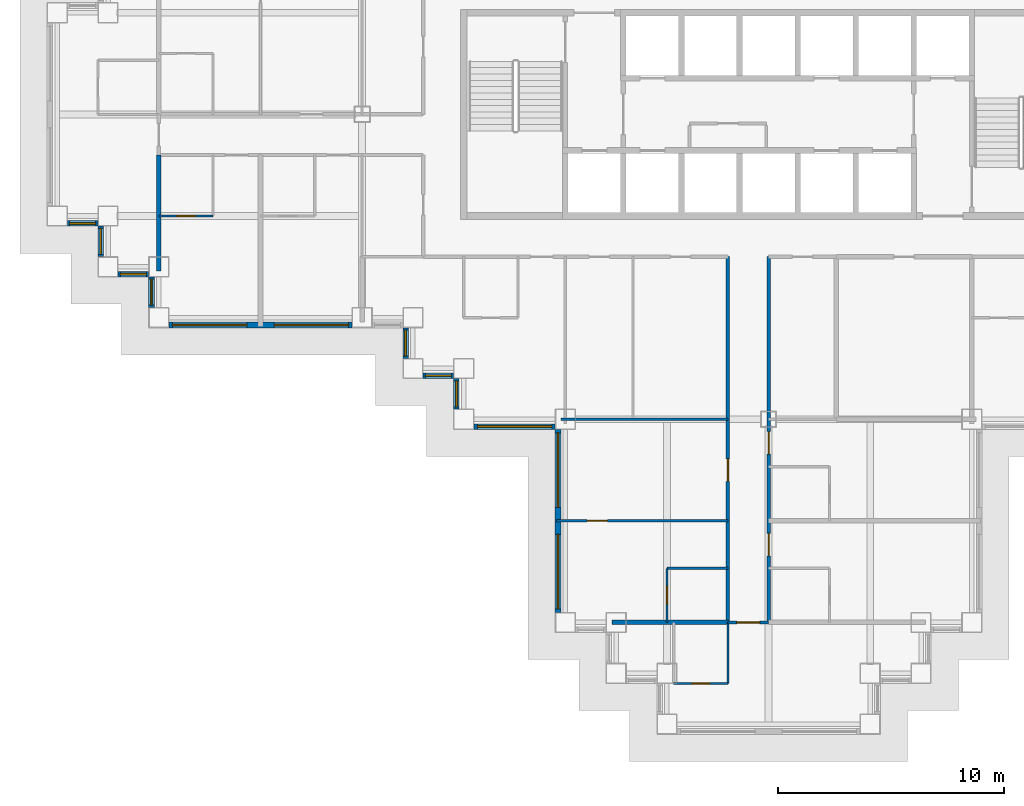
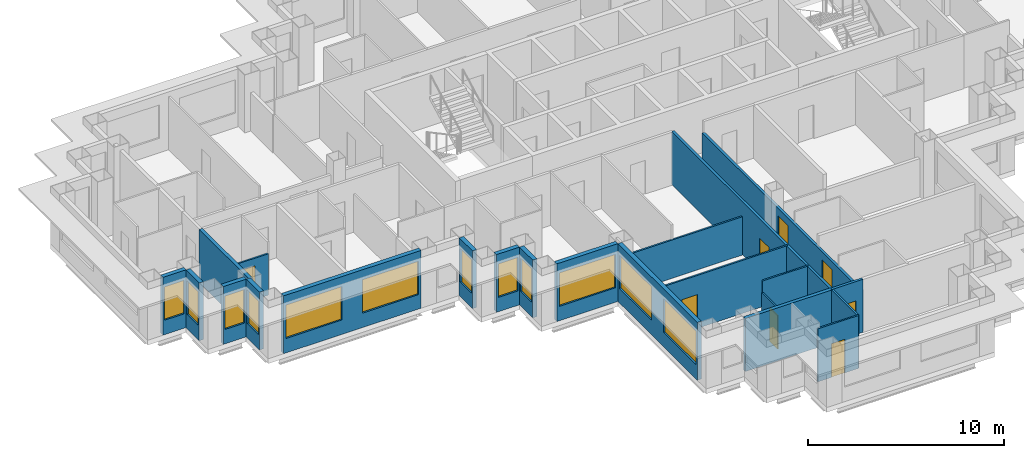
# One storey, part 3 of 15: 22 walls, 12 windows, 8 doors, 20 openings.
"""IFC4 building model written with IfcOpenShell, lengths in metres."""

from ifc_helpers import new_model, si_unit, direction, frame, frame_2d, origin, place, context, subcontext, project, spatial, rectangle, extrude, material, layer, layer_set, type_object, element, fill, save


model = new_model("IFC4")

# Units and contexts
model_context = context("Model", 3, precision=1e-05, world=origin(), true_north=direction((0.0, 1.0)))
body_context = subcontext(model_context, "Body", "Model", "MODEL_VIEW")
ifc_project = project(units=[si_unit("LENGTHUNIT", "METRE"), si_unit("AREAUNIT", "SQUARE_METRE"), si_unit("VOLUMEUNIT", "CUBIC_METRE"), si_unit("PLANEANGLEUNIT", "RADIAN"), si_unit("MASSUNIT", "GRAM", prefix="KILO")], contexts=[model_context])

# Site, building, storey
site_placement = place(None, origin())
site = spatial("IfcSite", under=ifc_project, at=site_placement, CompositionType="ELEMENT")
building_placement = place(site_placement, origin())
building = spatial("IfcBuilding", under=site, at=building_placement, Name="Caravel Reach Hotel and Residences", CompositionType="ELEMENT")
storey_placement = place(building_placement, frame((0.0, 0.0, 104.39990234375)))
storey = spatial("IfcBuildingStorey", under=building, at=storey_placement, Name="L25", CompositionType="ELEMENT", Elevation=104.39990234375)

# Wall, opening, door
ifc_material_1 = material(Name="Gypsum board on steel stud", Category="steel")
ifc_layer_1 = layer(ifc_material_1, 0.10009765625)
ifc_layer_set_1 = layer_set([ifc_layer_1], Name="Bathroom pod wall 100 mm")
wall_type_1 = type_object("IfcWallType", Name="Bathroom pod wall 100 mm", PredefinedType="PARTITIONING", material=ifc_layer_set_1)
wall_1_placement = place(storey_placement, frame((27.300048828125, 1.800048828125, 0.0), z_axis=(0.0, 0.0, 1.0), x_axis=(1.0, 0.0, 0.0)))
wall_1 = element("IfcWall", 1, at=wall_1_placement, inside=storey, type_object=wall_type_1, Name="L25 wall w081", PredefinedType="PARTITIONING", context=body_context, shape_type="SweptSolid", body=[
    extrude(rectangle(XDim=2.39990234375, YDim=0.10009765625, at=frame_2d((1.199951171875, 0.0))), origin(), (0.0, 0.0, 1.0), 3.300048828125),
])
opening_1_placement = place(wall_1_placement, frame((0.800048828125, 0.0, 0.0)))
opening_1 = element("IfcOpeningElement", 2, at=opening_1_placement, cuts=wall_1, Name="Opening D25-044", PredefinedType="OPENING", context=body_context, shape_type="SweptSolid", body=[
    extrude(rectangle(XDim=0.800048828125, YDim=2.10009765625, at=frame_2d((0.39990234375, 1.050048828125))), frame((0.0, 0.06005859375, 0.0), z_axis=(0.0, -1.0, 0.0), x_axis=(1.0, 0.0, 0.0)), (0.0, 0.0, 1.0), 0.1201171875),
])
ifc_material_2 = material(Name="Timber and steel door leaf", Category="steel")
door_type_1 = type_object("IfcDoorType", Name="Bathroom door 800 x 2100", OperationType="SINGLE_SWING_LEFT", PredefinedType="DOOR", material=ifc_material_2)
door_1_placement = place(opening_1_placement, origin())
door_1 = element("IfcDoor", 3, at=door_1_placement, inside=storey, type_object=door_type_1, Name="door D25-044", OperationType="SINGLE_SWING_LEFT", OverallHeight=2.10009765625, OverallWidth=0.800048828125, PredefinedType="DOOR", context=body_context, shape_type="SweptSolid", body=[
    extrude(rectangle(XDim=0.800048828125, YDim=2.10009765625, at=frame_2d((0.39990234375, 1.050048828125))), frame((0.0, 0.02490234375, 0.0), z_axis=(0.0, -1.0, 0.0), x_axis=(1.0, 0.0, 0.0)), (0.0, 0.0, 1.0), 0.050048828125),
])
fill(opening_1, door_1)

wall_2_placement = place(storey_placement, frame((4.5, 22.5, 0.0), z_axis=(0.0, 0.0, 1.0), x_axis=(1.0, 0.0, 0.0)))
wall_2 = element("IfcWall", 4, at=wall_2_placement, inside=storey, type_object=wall_type_1, Name="L25 wall w086", PredefinedType="PARTITIONING", context=body_context, shape_type="SweptSolid", body=[
    extrude(rectangle(XDim=2.39990234375, YDim=0.10009765625, at=frame_2d((1.199951171875, 0.0))), origin(), (0.0, 0.0, 1.0), 2.580078125),
])
opening_2_placement = place(wall_2_placement, frame((0.800048828125, 0.0, 0.0)))
opening_2 = element("IfcOpeningElement", 5, at=opening_2_placement, cuts=wall_2, Name="Opening D25-018", PredefinedType="OPENING", context=body_context, shape_type="SweptSolid", body=[
    extrude(rectangle(XDim=0.800048828125, YDim=2.10009765625, at=frame_2d((0.39990234375, 1.050048828125))), frame((0.0, 0.06005859375, 0.0), z_axis=(0.0, -1.0, 0.0), x_axis=(1.0, 0.0, 0.0)), (0.0, 0.0, 1.0), 0.1201171875),
])
door_2_placement = place(opening_2_placement, origin())
door_2 = element("IfcDoor", 6, at=door_2_placement, inside=storey, type_object=door_type_1, Name="door D25-018", OperationType="SINGLE_SWING_RIGHT", OverallHeight=2.10009765625, OverallWidth=0.800048828125, PredefinedType="DOOR", context=body_context, shape_type="SweptSolid", body=[
    extrude(rectangle(XDim=0.800048828125, YDim=2.10009765625, at=frame_2d((0.39990234375, 1.050048828125))), frame((0.0, 0.02490234375, 0.0), z_axis=(0.0, -1.0, 0.0), x_axis=(1.0, 0.0, 0.0)), (0.0, 0.0, 1.0), 0.050048828125),
])
fill(opening_2, door_2)

# Wall
wall_3_placement = place(storey_placement, frame((27.0, 6.89990234375, 0.0), z_axis=(0.0, 0.0, 1.0), x_axis=(1.0, 0.0, 0.0)))
element("IfcWall", 7, at=wall_3_placement, inside=storey, type_object=wall_type_1, Name="L25 wall w097", PredefinedType="PARTITIONING", context=body_context, shape_type="SweptSolid", body=[
    extrude(rectangle(XDim=2.699951171875, YDim=0.10009765625, at=frame_2d((1.35009765625, 0.0))), origin(), (0.0, 0.0, 1.0), 3.300048828125),
])

# Wall, opening, door
wall_4_placement = place(storey_placement, frame((27.0, 4.5, 0.0), z_axis=(0.0, 0.0, 1.0), x_axis=(0.0, 1.0, 0.0)))
wall_4 = element("IfcWall", 8, at=wall_4_placement, inside=storey, type_object=wall_type_1, Name="L25 wall w104", PredefinedType="PARTITIONING", context=body_context, shape_type="SweptSolid", body=[
    extrude(rectangle(XDim=2.39990234375, YDim=0.10009765625, at=frame_2d((1.199951171875, 0.0))), origin(), (0.0, 0.0, 1.0), 2.580078125),
])
opening_3_placement = place(wall_4_placement, frame((0.800048828125, 0.0, 0.0)))
opening_3 = element("IfcOpeningElement", 9, at=opening_3_placement, cuts=wall_4, Name="Opening D25-034", PredefinedType="OPENING", context=body_context, shape_type="SweptSolid", body=[
    extrude(rectangle(XDim=0.800048828125, YDim=2.10009765625, at=frame_2d((0.39990234375, 1.050048828125))), frame((0.0, 0.06005859375, 0.0), z_axis=(0.0, -1.0, 0.0), x_axis=(1.0, 0.0, 0.0)), (0.0, 0.0, 1.0), 0.1201171875),
])
door_3_placement = place(opening_3_placement, origin())
door_3 = element("IfcDoor", 10, at=door_3_placement, inside=storey, type_object=door_type_1, Name="door D25-034", OperationType="SINGLE_SWING_RIGHT", OverallHeight=2.10009765625, OverallWidth=0.800048828125, PredefinedType="DOOR", context=body_context, shape_type="SweptSolid", body=[
    extrude(rectangle(XDim=0.800048828125, YDim=2.10009765625, at=frame_2d((0.39990234375, 1.050048828125))), frame((0.0, 0.02490234375, 0.0), z_axis=(0.0, -1.0, 0.0), x_axis=(1.0, 0.0, 0.0)), (0.0, 0.0, 1.0), 0.050048828125),
])
fill(opening_3, door_3)

# Wall
wall_5_placement = place(storey_placement, frame((29.699951171875, 1.800048828125, 0.0), z_axis=(0.0, 0.0, 1.0), x_axis=(0.0, 1.0, 0.0)))
element("IfcWall", 11, at=wall_5_placement, inside=storey, type_object=wall_type_1, Name="L25 wall w107", PredefinedType="PARTITIONING", context=body_context, shape_type="SweptSolid", body=[
    extrude(rectangle(XDim=2.699951171875, YDim=0.10009765625, at=frame_2d((1.35009765625, 0.0))), origin(), (0.0, 0.0, 1.0), 3.300048828125),
])

# Wall, opening, door
ifc_material_3 = material(Name="Gypsum board on steel stud, fire-rated", Category="steel")
ifc_layer_2 = layer(ifc_material_3, 0.14990234375)
ifc_layer_set_2 = layer_set([ifc_layer_2], Name="Corridor wall 150 mm EI 60")
wall_type_2 = type_object("IfcWallType", Name="Corridor wall 150 mm EI 60", PredefinedType="PARTITIONING", material=ifc_layer_set_2)
wall_6_placement = place(storey_placement, frame((29.699951171875, 4.5, 0.0), z_axis=(0.0, 0.0, 1.0), x_axis=(1.0, 0.0, 0.0)))
wall_6 = element("IfcWall", 12, at=wall_6_placement, inside=storey, type_object=wall_type_2, Name="L25 wall w024", PredefinedType="PARTITIONING", context=body_context, shape_type="SweptSolid", body=[
    extrude(rectangle(XDim=1.800048828125, YDim=0.14990234375, at=frame_2d((0.89990234375, 0.0))), origin(), (0.0, 0.0, 1.0), 3.300048828125),
])
opening_4_placement = place(wall_6_placement, frame((0.39990234375, 0.0, 0.0)))
opening_4 = element("IfcOpeningElement", 13, at=opening_4_placement, cuts=wall_6, Name="Opening D25-043", PredefinedType="OPENING", context=body_context, shape_type="SweptSolid", body=[
    extrude(rectangle(XDim=1.0, YDim=2.10009765625, at=frame_2d((0.5, 1.050048828125))), frame((0.0, 0.0849609375, 0.0), z_axis=(0.0, -1.0, 0.0), x_axis=(1.0, 0.0, 0.0)), (0.0, 0.0, 1.0), 0.169921875),
])
ifc_material_4 = material(Name="Steel fire door leaf", Category="steel")
door_type_2 = type_object("IfcDoorType", Name="Guest room door 1000 x 2100 EI 30", OperationType="SINGLE_SWING_LEFT", PredefinedType="DOOR", material=ifc_material_4)
door_4_placement = place(opening_4_placement, origin())
door_4 = element("IfcDoor", 14, at=door_4_placement, inside=storey, type_object=door_type_2, Name="door D25-043", OperationType="SINGLE_SWING_LEFT", OverallHeight=2.10009765625, OverallWidth=1.0, PredefinedType="DOOR", context=body_context, shape_type="SweptSolid", body=[
    extrude(rectangle(XDim=1.0, YDim=2.10009765625, at=frame_2d((0.5, 1.050048828125))), frame((0.0, 0.02490234375, 0.0), z_axis=(0.0, -1.0, 0.0), x_axis=(1.0, 0.0, 0.0)), (0.0, 0.0, 1.0), 0.050048828125),
])
fill(opening_4, door_4)

wall_7_placement = place(storey_placement, frame((29.699951171875, 4.5, 0.0), z_axis=(0.0, 0.0, 1.0), x_axis=(0.0, 1.0, 0.0)))
wall_7 = element("IfcWall", 15, at=wall_7_placement, inside=storey, type_object=wall_type_2, Name="L25 wall w029", PredefinedType="PARTITIONING", context=body_context, shape_type="SweptSolid", body=[
    extrude(rectangle(XDim=16.199951171875, YDim=0.14990234375, at=frame_2d((8.10009765625, 0.0))), origin(), (0.0, 0.0, 1.0), 3.300048828125),
])
opening_5_placement = place(wall_7_placement, frame((6.25, 0.0, 0.0)))
opening_5 = element("IfcOpeningElement", 16, at=opening_5_placement, cuts=wall_7, Name="Opening D25-032", PredefinedType="OPENING", context=body_context, shape_type="SweptSolid", body=[
    extrude(rectangle(XDim=1.0, YDim=2.10009765625, at=frame_2d((0.5, 1.050048828125))), frame((0.0, 0.0849609375, 0.0), z_axis=(0.0, -1.0, 0.0), x_axis=(1.0, 0.0, 0.0)), (0.0, 0.0, 1.0), 0.169921875),
])
door_5_placement = place(opening_5_placement, origin())
door_5 = element("IfcDoor", 17, at=door_5_placement, inside=storey, type_object=door_type_2, Name="door D25-032", OperationType="SINGLE_SWING_LEFT", OverallHeight=2.10009765625, OverallWidth=1.0, PredefinedType="DOOR", context=body_context, shape_type="SweptSolid", body=[
    extrude(rectangle(XDim=1.0, YDim=2.10009765625, at=frame_2d((0.5, 1.050048828125))), frame((0.0, 0.02490234375, 0.0), z_axis=(0.0, -1.0, 0.0), x_axis=(1.0, 0.0, 0.0)), (0.0, 0.0, 1.0), 0.050048828125),
])
fill(opening_5, door_5)

# Wall, openings, doors
wall_8_placement = place(storey_placement, frame((31.5, 4.5, 0.0), z_axis=(0.0, 0.0, 1.0), x_axis=(0.0, 1.0, 0.0)))
wall_8 = element("IfcWall", 18, at=wall_8_placement, inside=storey, type_object=wall_type_2, Name="L25 wall w033", PredefinedType="PARTITIONING", context=body_context, shape_type="SweptSolid", body=[
    extrude(rectangle(XDim=16.199951171875, YDim=0.14990234375, at=frame_2d((8.10009765625, 0.0))), origin(), (0.0, 0.0, 1.0), 2.580078125),
])
opening_6_placement = place(wall_8_placement, frame((7.449951171875, 0.0, 0.0)))
opening_6 = element("IfcOpeningElement", 19, at=opening_6_placement, cuts=wall_8, Name="Opening D25-035", PredefinedType="OPENING", context=body_context, shape_type="SweptSolid", body=[
    extrude(rectangle(XDim=1.0, YDim=2.10009765625, at=frame_2d((0.5, 1.050048828125))), frame((0.0, 0.0849609375, 0.0), z_axis=(0.0, -1.0, 0.0), x_axis=(1.0, 0.0, 0.0)), (0.0, 0.0, 1.0), 0.169921875),
])
opening_7_placement = place(wall_8_placement, frame((2.949951171875, 0.0, 0.0)))
opening_7 = element("IfcOpeningElement", 20, at=opening_7_placement, cuts=wall_8, Name="Opening D25-037", PredefinedType="OPENING", context=body_context, shape_type="SweptSolid", body=[
    extrude(rectangle(XDim=1.0, YDim=2.10009765625, at=frame_2d((0.5, 1.050048828125))), frame((0.0, 0.0849609375, 0.0), z_axis=(0.0, -1.0, 0.0), x_axis=(1.0, 0.0, 0.0)), (0.0, 0.0, 1.0), 0.169921875),
])
door_6_placement = place(opening_6_placement, origin())
door_6 = element("IfcDoor", 21, at=door_6_placement, inside=storey, type_object=door_type_2, Name="door D25-035", OperationType="SINGLE_SWING_RIGHT", OverallHeight=2.10009765625, OverallWidth=1.0, PredefinedType="DOOR", context=body_context, shape_type="SweptSolid", body=[
    extrude(rectangle(XDim=1.0, YDim=2.10009765625, at=frame_2d((0.5, 1.050048828125))), frame((0.0, 0.02490234375, 0.0), z_axis=(0.0, -1.0, 0.0), x_axis=(1.0, 0.0, 0.0)), (0.0, 0.0, 1.0), 0.050048828125),
])
fill(opening_6, door_6)
door_7_placement = place(opening_7_placement, origin())
door_7 = element("IfcDoor", 22, at=door_7_placement, inside=storey, type_object=door_type_2, Name="door D25-037", OperationType="SINGLE_SWING_RIGHT", OverallHeight=2.10009765625, OverallWidth=1.0, PredefinedType="DOOR", context=body_context, shape_type="SweptSolid", body=[
    extrude(rectangle(XDim=1.0, YDim=2.10009765625, at=frame_2d((0.5, 1.050048828125))), frame((0.0, 0.02490234375, 0.0), z_axis=(0.0, -1.0, 0.0), x_axis=(1.0, 0.0, 0.0)), (0.0, 0.0, 1.0), 0.050048828125),
])
fill(opening_7, door_7)

# Wall, opening, window
ifc_material_5 = material(Name="Insulated rainscreen wall, aluminium cladding", Category="aluminium")
ifc_layer_3 = layer(ifc_material_5, 0.25)
ifc_layer_set_3 = layer_set([ifc_layer_3], Name="EW1 Tower rainscreen wall")
wall_type_3 = type_object("IfcWallType", Name="EW1 Tower rainscreen wall", PredefinedType="SOLIDWALL", material=ifc_layer_set_3)
wall_9_placement = place(storey_placement, frame((0.449951171875, 22.175048828125, 0.0), z_axis=(0.0, 0.0, 1.0), x_axis=(1.0, 0.0, 0.0)))
wall_9 = element("IfcWall", 23, at=wall_9_placement, inside=storey, type_object=wall_type_3, Name="External wall L25 S51.1", PredefinedType="SOLIDWALL", context=body_context, shape_type="SweptSolid", body=[
    extrude(rectangle(XDim=1.35009765625, YDim=0.25, at=frame_2d((0.675048828125, 0.0))), origin(), (0.0, 0.0, 1.0), 3.60009765625),
])
opening_8_placement = place(wall_9_placement, frame((0.10009765625, 0.0, 0.89990234375)))
opening_8 = element("IfcOpeningElement", 24, at=opening_8_placement, cuts=wall_9, Name="Opening WN8", PredefinedType="OPENING", context=body_context, shape_type="SweptSolid", body=[
    extrude(rectangle(XDim=1.14990234375, YDim=2.080078125, at=frame_2d((0.574951171875, 1.0400390625))), frame((0.0, 0.135009765625, 0.0), z_axis=(0.0, -1.0, 0.0), x_axis=(1.0, 0.0, 0.0)), (0.0, 0.0, 1.0), 0.27001953125),
])
ifc_material_6 = material(Name="Dark low-e glazing in black aluminium frame", Category="aluminium")
window_type_1 = type_object("IfcWindowType", Name="Hotel suite corner window 1150 x 2080", PartitioningType="SINGLE_PANEL", PredefinedType="WINDOW", material=ifc_material_6)
window_1_placement = place(opening_8_placement, origin())
window_1 = element("IfcWindow", 25, at=window_1_placement, inside=storey, type_object=window_type_1, Name="Window L25 S51.1.1", OverallHeight=2.080078125, OverallWidth=1.14990234375, PartitioningType="SINGLE_PANEL", PredefinedType="WINDOW", context=body_context, shape_type="SweptSolid", body=[
    extrude(rectangle(XDim=1.14990234375, YDim=2.080078125, at=frame_2d((0.574951171875, 1.0400390625))), frame((0.0, 0.030029296875, 0.0), z_axis=(0.0, -1.0, 0.0), x_axis=(1.0, 0.0, 0.0)), (0.0, 0.0, 1.0), 0.06005859375),
])
fill(opening_8, window_1)

wall_10_placement = place(storey_placement, frame((1.925048828125, 22.050048828125, 0.0), z_axis=(0.0, 0.0, 1.0), x_axis=(0.0, -1.0, 0.0)))
wall_10 = element("IfcWall", 26, at=wall_10_placement, inside=storey, type_object=wall_type_3, Name="External wall L25 W52.1", PredefinedType="SOLIDWALL", context=body_context, shape_type="SweptSolid", body=[
    extrude(rectangle(XDim=1.35009765625, YDim=0.25, at=frame_2d((0.675048828125, 0.0))), origin(), (0.0, 0.0, 1.0), 3.60009765625),
])
opening_9_placement = place(wall_10_placement, frame((0.10009765625, 0.0, 0.89990234375)))
opening_9 = element("IfcOpeningElement", 27, at=opening_9_placement, cuts=wall_10, Name="Opening WN8", PredefinedType="OPENING", context=body_context, shape_type="SweptSolid", body=[
    extrude(rectangle(XDim=1.14990234375, YDim=2.080078125, at=frame_2d((0.574951171875, 1.0400390625))), frame((0.0, 0.135009765625, 0.0), z_axis=(0.0, -1.0, 0.0), x_axis=(1.0, 0.0, 0.0)), (0.0, 0.0, 1.0), 0.27001953125),
])
window_2_placement = place(opening_9_placement, origin())
window_2 = element("IfcWindow", 28, at=window_2_placement, inside=storey, type_object=window_type_1, Name="Window L25 W52.1.1", OverallHeight=2.080078125, OverallWidth=1.14990234375, PartitioningType="SINGLE_PANEL", PredefinedType="WINDOW", context=body_context, shape_type="SweptSolid", body=[
    extrude(rectangle(XDim=1.14990234375, YDim=2.080078125, at=frame_2d((0.574951171875, 1.0400390625))), frame((0.0, 0.030029296875, 0.0), z_axis=(0.0, -1.0, 0.0), x_axis=(1.0, 0.0, 0.0)), (0.0, 0.0, 1.0), 0.06005859375),
])
fill(opening_9, window_2)

wall_11_placement = place(storey_placement, frame((2.699951171875, 19.925048828125, 0.0), z_axis=(0.0, 0.0, 1.0), x_axis=(1.0, 0.0, 0.0)))
wall_11 = element("IfcWall", 29, at=wall_11_placement, inside=storey, type_object=wall_type_3, Name="External wall L25 S53.1", PredefinedType="SOLIDWALL", context=body_context, shape_type="SweptSolid", body=[
    extrude(rectangle(XDim=1.35009765625, YDim=0.25, at=frame_2d((0.675048828125, 0.0))), origin(), (0.0, 0.0, 1.0), 3.60009765625),
])
opening_10_placement = place(wall_11_placement, frame((0.10009765625, 0.0, 0.89990234375)))
opening_10 = element("IfcOpeningElement", 30, at=opening_10_placement, cuts=wall_11, Name="Opening WN8", PredefinedType="OPENING", context=body_context, shape_type="SweptSolid", body=[
    extrude(rectangle(XDim=1.14990234375, YDim=2.080078125, at=frame_2d((0.574951171875, 1.0400390625))), frame((0.0, 0.135009765625, 0.0), z_axis=(0.0, -1.0, 0.0), x_axis=(1.0, 0.0, 0.0)), (0.0, 0.0, 1.0), 0.27001953125),
])
window_3_placement = place(opening_10_placement, origin())
window_3 = element("IfcWindow", 31, at=window_3_placement, inside=storey, type_object=window_type_1, Name="Window L25 S53.1.1", OverallHeight=2.080078125, OverallWidth=1.14990234375, PartitioningType="SINGLE_PANEL", PredefinedType="WINDOW", context=body_context, shape_type="SweptSolid", body=[
    extrude(rectangle(XDim=1.14990234375, YDim=2.080078125, at=frame_2d((0.574951171875, 1.0400390625))), frame((0.0, 0.030029296875, 0.0), z_axis=(0.0, -1.0, 0.0), x_axis=(1.0, 0.0, 0.0)), (0.0, 0.0, 1.0), 0.06005859375),
])
fill(opening_10, window_3)

wall_12_placement = place(storey_placement, frame((4.175048828125, 19.800048828125, 0.0), z_axis=(0.0, 0.0, 1.0), x_axis=(0.0, -1.0, 0.0)))
wall_12 = element("IfcWall", 32, at=wall_12_placement, inside=storey, type_object=wall_type_3, Name="External wall L25 W54.1", PredefinedType="SOLIDWALL", context=body_context, shape_type="SweptSolid", body=[
    extrude(rectangle(XDim=1.35009765625, YDim=0.25, at=frame_2d((0.675048828125, 0.0))), origin(), (0.0, 0.0, 1.0), 3.60009765625),
])
opening_11_placement = place(wall_12_placement, frame((0.10009765625, 0.0, 0.89990234375)))
opening_11 = element("IfcOpeningElement", 33, at=opening_11_placement, cuts=wall_12, Name="Opening WN8", PredefinedType="OPENING", context=body_context, shape_type="SweptSolid", body=[
    extrude(rectangle(XDim=1.14990234375, YDim=2.080078125, at=frame_2d((0.574951171875, 1.0400390625))), frame((0.0, 0.135009765625, 0.0), z_axis=(0.0, -1.0, 0.0), x_axis=(1.0, 0.0, 0.0)), (0.0, 0.0, 1.0), 0.27001953125),
])
window_4_placement = place(opening_11_placement, origin())
window_4 = element("IfcWindow", 34, at=window_4_placement, inside=storey, type_object=window_type_1, Name="Window L25 W54.1.1", OverallHeight=2.080078125, OverallWidth=1.14990234375, PartitioningType="SINGLE_PANEL", PredefinedType="WINDOW", context=body_context, shape_type="SweptSolid", body=[
    extrude(rectangle(XDim=1.14990234375, YDim=2.080078125, at=frame_2d((0.574951171875, 1.0400390625))), frame((0.0, 0.030029296875, 0.0), z_axis=(0.0, -1.0, 0.0), x_axis=(1.0, 0.0, 0.0)), (0.0, 0.0, 1.0), 0.06005859375),
])
fill(opening_11, window_4)

# Wall, openings, windows
wall_13_placement = place(storey_placement, frame((4.949951171875, 17.675048828125, 0.0), z_axis=(0.0, 0.0, 1.0), x_axis=(1.0, 0.0, 0.0)))
wall_13 = element("IfcWall", 35, at=wall_13_placement, inside=storey, type_object=wall_type_3, Name="External wall L25 S55.1", PredefinedType="SOLIDWALL", context=body_context, shape_type="SweptSolid", body=[
    extrude(rectangle(XDim=8.10009765625, YDim=0.25, at=frame_2d((4.050048828125, 0.0))), origin(), (0.0, 0.0, 1.0), 3.60009765625),
])
opening_12_placement = place(wall_13_placement, frame((0.14990234375, 0.0, 0.89990234375)))
opening_12 = element("IfcOpeningElement", 36, at=opening_12_placement, cuts=wall_13, Name="Opening WN4", PredefinedType="OPENING", context=body_context, shape_type="SweptSolid", body=[
    extrude(rectangle(XDim=3.300048828125, YDim=2.080078125, at=frame_2d((1.64990234375, 1.0400390625))), frame((0.0, 0.135009765625, 0.0), z_axis=(0.0, -1.0, 0.0), x_axis=(1.0, 0.0, 0.0)), (0.0, 0.0, 1.0), 0.27001953125),
])
opening_13_placement = place(wall_13_placement, frame((4.64990234375, 0.0, 0.89990234375)))
opening_13 = element("IfcOpeningElement", 37, at=opening_13_placement, cuts=wall_13, Name="Opening WN4", PredefinedType="OPENING", context=body_context, shape_type="SweptSolid", body=[
    extrude(rectangle(XDim=3.300048828125, YDim=2.080078125, at=frame_2d((1.64990234375, 1.0400390625))), frame((0.0, 0.135009765625, 0.0), z_axis=(0.0, -1.0, 0.0), x_axis=(1.0, 0.0, 0.0)), (0.0, 0.0, 1.0), 0.27001953125),
])
ifc_material_7 = material(Name="Dark low-e glazing in black aluminium frame", Category="aluminium")
window_type_2 = type_object("IfcWindowType", Name="Hotel guest room window 3300 x 2080", PartitioningType="SINGLE_PANEL", PredefinedType="WINDOW", material=ifc_material_7)
window_5_placement = place(opening_12_placement, origin())
window_5 = element("IfcWindow", 38, at=window_5_placement, inside=storey, type_object=window_type_2, Name="Window L25 S55.1.1", OverallHeight=2.080078125, OverallWidth=3.300048828125, PartitioningType="SINGLE_PANEL", PredefinedType="WINDOW", context=body_context, shape_type="SweptSolid", body=[
    extrude(rectangle(XDim=3.300048828125, YDim=2.080078125, at=frame_2d((1.64990234375, 1.0400390625))), frame((0.0, 0.030029296875, 0.0), z_axis=(0.0, -1.0, 0.0), x_axis=(1.0, 0.0, 0.0)), (0.0, 0.0, 1.0), 0.06005859375),
])
fill(opening_12, window_5)
window_6_placement = place(opening_13_placement, origin())
window_6 = element("IfcWindow", 39, at=window_6_placement, inside=storey, type_object=window_type_2, Name="Window L25 S55.1.2", OverallHeight=2.080078125, OverallWidth=3.300048828125, PartitioningType="SINGLE_PANEL", PredefinedType="WINDOW", context=body_context, shape_type="SweptSolid", body=[
    extrude(rectangle(XDim=3.300048828125, YDim=2.080078125, at=frame_2d((1.64990234375, 1.0400390625))), frame((0.0, 0.030029296875, 0.0), z_axis=(0.0, -1.0, 0.0), x_axis=(1.0, 0.0, 0.0)), (0.0, 0.0, 1.0), 0.06005859375),
])
fill(opening_13, window_6)

# Wall, opening, window
wall_14_placement = place(storey_placement, frame((15.425048828125, 17.550048828125, 0.0), z_axis=(0.0, 0.0, 1.0), x_axis=(0.0, -1.0, 0.0)))
wall_14 = element("IfcWall", 40, at=wall_14_placement, inside=storey, type_object=wall_type_3, Name="External wall L25 W56.1", PredefinedType="SOLIDWALL", context=body_context, shape_type="SweptSolid", body=[
    extrude(rectangle(XDim=1.35009765625, YDim=0.25, at=frame_2d((0.675048828125, 0.0))), origin(), (0.0, 0.0, 1.0), 3.60009765625),
])
opening_14_placement = place(wall_14_placement, frame((0.10009765625, 0.0, 0.89990234375)))
opening_14 = element("IfcOpeningElement", 41, at=opening_14_placement, cuts=wall_14, Name="Opening WN8", PredefinedType="OPENING", context=body_context, shape_type="SweptSolid", body=[
    extrude(rectangle(XDim=1.14990234375, YDim=2.080078125, at=frame_2d((0.574951171875, 1.0400390625))), frame((0.0, 0.135009765625, 0.0), z_axis=(0.0, -1.0, 0.0), x_axis=(1.0, 0.0, 0.0)), (0.0, 0.0, 1.0), 0.27001953125),
])
window_7_placement = place(opening_14_placement, origin())
window_7 = element("IfcWindow", 42, at=window_7_placement, inside=storey, type_object=window_type_1, Name="Window L25 W56.1.1", OverallHeight=2.080078125, OverallWidth=1.14990234375, PartitioningType="SINGLE_PANEL", PredefinedType="WINDOW", context=body_context, shape_type="SweptSolid", body=[
    extrude(rectangle(XDim=1.14990234375, YDim=2.080078125, at=frame_2d((0.574951171875, 1.0400390625))), frame((0.0, 0.030029296875, 0.0), z_axis=(0.0, -1.0, 0.0), x_axis=(1.0, 0.0, 0.0)), (0.0, 0.0, 1.0), 0.06005859375),
])
fill(opening_14, window_7)

wall_15_placement = place(storey_placement, frame((16.199951171875, 15.425048828125, 0.0), z_axis=(0.0, 0.0, 1.0), x_axis=(1.0, 0.0, 0.0)))
wall_15 = element("IfcWall", 43, at=wall_15_placement, inside=storey, type_object=wall_type_3, Name="External wall L25 S57.1", PredefinedType="SOLIDWALL", context=body_context, shape_type="SweptSolid", body=[
    extrude(rectangle(XDim=1.35009765625, YDim=0.25, at=frame_2d((0.675048828125, 0.0))), origin(), (0.0, 0.0, 1.0), 3.60009765625),
])
opening_15_placement = place(wall_15_placement, frame((0.10009765625, 0.0, 0.89990234375)))
opening_15 = element("IfcOpeningElement", 44, at=opening_15_placement, cuts=wall_15, Name="Opening WN8", PredefinedType="OPENING", context=body_context, shape_type="SweptSolid", body=[
    extrude(rectangle(XDim=1.14990234375, YDim=2.080078125, at=frame_2d((0.574951171875, 1.0400390625))), frame((0.0, 0.135009765625, 0.0), z_axis=(0.0, -1.0, 0.0), x_axis=(1.0, 0.0, 0.0)), (0.0, 0.0, 1.0), 0.27001953125),
])
window_8_placement = place(opening_15_placement, origin())
window_8 = element("IfcWindow", 45, at=window_8_placement, inside=storey, type_object=window_type_1, Name="Window L25 S57.1.1", OverallHeight=2.080078125, OverallWidth=1.14990234375, PartitioningType="SINGLE_PANEL", PredefinedType="WINDOW", context=body_context, shape_type="SweptSolid", body=[
    extrude(rectangle(XDim=1.14990234375, YDim=2.080078125, at=frame_2d((0.574951171875, 1.0400390625))), frame((0.0, 0.030029296875, 0.0), z_axis=(0.0, -1.0, 0.0), x_axis=(1.0, 0.0, 0.0)), (0.0, 0.0, 1.0), 0.06005859375),
])
fill(opening_15, window_8)

wall_16_placement = place(storey_placement, frame((17.675048828125, 15.300048828125, 0.0), z_axis=(0.0, 0.0, 1.0), x_axis=(0.0, -1.0, 0.0)))
wall_16 = element("IfcWall", 46, at=wall_16_placement, inside=storey, type_object=wall_type_3, Name="External wall L25 W58.1", PredefinedType="SOLIDWALL", context=body_context, shape_type="SweptSolid", body=[
    extrude(rectangle(XDim=1.35009765625, YDim=0.25, at=frame_2d((0.675048828125, 0.0))), origin(), (0.0, 0.0, 1.0), 3.60009765625),
])
opening_16_placement = place(wall_16_placement, frame((0.10009765625, 0.0, 0.89990234375)))
opening_16 = element("IfcOpeningElement", 47, at=opening_16_placement, cuts=wall_16, Name="Opening WN8", PredefinedType="OPENING", context=body_context, shape_type="SweptSolid", body=[
    extrude(rectangle(XDim=1.14990234375, YDim=2.080078125, at=frame_2d((0.574951171875, 1.0400390625))), frame((0.0, 0.135009765625, 0.0), z_axis=(0.0, -1.0, 0.0), x_axis=(1.0, 0.0, 0.0)), (0.0, 0.0, 1.0), 0.27001953125),
])
window_9_placement = place(opening_16_placement, origin())
window_9 = element("IfcWindow", 48, at=window_9_placement, inside=storey, type_object=window_type_1, Name="Window L25 W58.1.1", OverallHeight=2.080078125, OverallWidth=1.14990234375, PartitioningType="SINGLE_PANEL", PredefinedType="WINDOW", context=body_context, shape_type="SweptSolid", body=[
    extrude(rectangle(XDim=1.14990234375, YDim=2.080078125, at=frame_2d((0.574951171875, 1.0400390625))), frame((0.0, 0.030029296875, 0.0), z_axis=(0.0, -1.0, 0.0), x_axis=(1.0, 0.0, 0.0)), (0.0, 0.0, 1.0), 0.06005859375),
])
fill(opening_16, window_9)

wall_17_placement = place(storey_placement, frame((18.449951171875, 13.175048828125, 0.0), z_axis=(0.0, 0.0, 1.0), x_axis=(1.0, 0.0, 0.0)))
wall_17 = element("IfcWall", 49, at=wall_17_placement, inside=storey, type_object=wall_type_3, Name="External wall L25 S59.1", PredefinedType="SOLIDWALL", context=body_context, shape_type="SweptSolid", body=[
    extrude(rectangle(XDim=3.60009765625, YDim=0.25, at=frame_2d((1.800048828125, 0.0))), origin(), (0.0, 0.0, 1.0), 3.60009765625),
])
opening_17_placement = place(wall_17_placement, frame((0.14990234375, 0.0, 0.89990234375)))
opening_17 = element("IfcOpeningElement", 50, at=opening_17_placement, cuts=wall_17, Name="Opening WN4", PredefinedType="OPENING", context=body_context, shape_type="SweptSolid", body=[
    extrude(rectangle(XDim=3.300048828125, YDim=2.080078125, at=frame_2d((1.64990234375, 1.0400390625))), frame((0.0, 0.135009765625, 0.0), z_axis=(0.0, -1.0, 0.0), x_axis=(1.0, 0.0, 0.0)), (0.0, 0.0, 1.0), 0.27001953125),
])
window_10_placement = place(opening_17_placement, origin())
window_10 = element("IfcWindow", 51, at=window_10_placement, inside=storey, type_object=window_type_2, Name="Window L25 S59.1.1", OverallHeight=2.080078125, OverallWidth=3.300048828125, PartitioningType="SINGLE_PANEL", PredefinedType="WINDOW", context=body_context, shape_type="SweptSolid", body=[
    extrude(rectangle(XDim=3.300048828125, YDim=2.080078125, at=frame_2d((1.64990234375, 1.0400390625))), frame((0.0, 0.030029296875, 0.0), z_axis=(0.0, -1.0, 0.0), x_axis=(1.0, 0.0, 0.0)), (0.0, 0.0, 1.0), 0.06005859375),
])
fill(opening_17, window_10)

# Wall, openings, windows
wall_18_placement = place(storey_placement, frame((22.175048828125, 13.050048828125, 0.0), z_axis=(0.0, 0.0, 1.0), x_axis=(0.0, -1.0, 0.0)))
wall_18 = element("IfcWall", 52, at=wall_18_placement, inside=storey, type_object=wall_type_3, Name="External wall L25 W60.1", PredefinedType="SOLIDWALL", context=body_context, shape_type="SweptSolid", body=[
    extrude(rectangle(XDim=8.10009765625, YDim=0.25, at=frame_2d((4.050048828125, 0.0))), origin(), (0.0, 0.0, 1.0), 3.60009765625),
])
opening_18_placement = place(wall_18_placement, frame((0.14990234375, 0.0, 0.89990234375)))
opening_18 = element("IfcOpeningElement", 53, at=opening_18_placement, cuts=wall_18, Name="Opening WN4", PredefinedType="OPENING", context=body_context, shape_type="SweptSolid", body=[
    extrude(rectangle(XDim=3.300048828125, YDim=2.080078125, at=frame_2d((1.64990234375, 1.0400390625))), frame((0.0, 0.135009765625, 0.0), z_axis=(0.0, -1.0, 0.0), x_axis=(1.0, 0.0, 0.0)), (0.0, 0.0, 1.0), 0.27001953125),
])
opening_19_placement = place(wall_18_placement, frame((4.64990234375, 0.0, 0.89990234375)))
opening_19 = element("IfcOpeningElement", 54, at=opening_19_placement, cuts=wall_18, Name="Opening WN4", PredefinedType="OPENING", context=body_context, shape_type="SweptSolid", body=[
    extrude(rectangle(XDim=3.300048828125, YDim=2.080078125, at=frame_2d((1.64990234375, 1.0400390625))), frame((0.0, 0.135009765625, 0.0), z_axis=(0.0, -1.0, 0.0), x_axis=(1.0, 0.0, 0.0)), (0.0, 0.0, 1.0), 0.27001953125),
])
window_11_placement = place(opening_18_placement, origin())
window_11 = element("IfcWindow", 55, at=window_11_placement, inside=storey, type_object=window_type_2, Name="Window L25 W60.1.1", OverallHeight=2.080078125, OverallWidth=3.300048828125, PartitioningType="SINGLE_PANEL", PredefinedType="WINDOW", context=body_context, shape_type="SweptSolid", body=[
    extrude(rectangle(XDim=3.300048828125, YDim=2.080078125, at=frame_2d((1.64990234375, 1.0400390625))), frame((0.0, 0.030029296875, 0.0), z_axis=(0.0, -1.0, 0.0), x_axis=(1.0, 0.0, 0.0)), (0.0, 0.0, 1.0), 0.06005859375),
])
fill(opening_18, window_11)
window_12_placement = place(opening_19_placement, origin())
window_12 = element("IfcWindow", 56, at=window_12_placement, inside=storey, type_object=window_type_2, Name="Window L25 W60.1.2", OverallHeight=2.080078125, OverallWidth=3.300048828125, PartitioningType="SINGLE_PANEL", PredefinedType="WINDOW", context=body_context, shape_type="SweptSolid", body=[
    extrude(rectangle(XDim=3.300048828125, YDim=2.080078125, at=frame_2d((1.64990234375, 1.0400390625))), frame((0.0, 0.030029296875, 0.0), z_axis=(0.0, -1.0, 0.0), x_axis=(1.0, 0.0, 0.0)), (0.0, 0.0, 1.0), 0.06005859375),
])
fill(opening_19, window_12)

# Wall
ifc_material_8 = material(Name="Gypsum board on steel stud", Category="steel")
ifc_layer_4 = layer(ifc_material_8, 0.10009765625)
ifc_layer_set_4 = layer_set([ifc_layer_4], Name="Partition 100 mm")
wall_type_4 = type_object("IfcWallType", Name="Partition 100 mm", PredefinedType="PARTITIONING", material=ifc_layer_set_4)
wall_19_placement = place(storey_placement, frame((22.31005859375, 13.5, 0.0), z_axis=(0.0, 0.0, 1.0), x_axis=(1.0, 0.0, 0.0)))
element("IfcWall", 57, at=wall_19_placement, inside=storey, type_object=wall_type_4, Name="L25 wall w043", PredefinedType="PARTITIONING", context=body_context, shape_type="SweptSolid", body=[
    extrude(rectangle(XDim=7.389892578125, YDim=0.10009765625, at=frame_2d((3.69482421875, 0.0))), origin(), (0.0, 0.0, 1.0), 2.380126953125),
])

# Wall, opening, door
wall_20_placement = place(storey_placement, frame((22.110107421875, 9.0, 0.0), z_axis=(0.0, 0.0, 1.0), x_axis=(1.0, 0.0, 0.0)))
wall_20 = element("IfcWall", 58, at=wall_20_placement, inside=storey, type_object=wall_type_4, Name="L25 wall w055", PredefinedType="PARTITIONING", context=body_context, shape_type="SweptSolid", body=[
    extrude(rectangle(XDim=7.58984375, YDim=0.10009765625, at=frame_2d((3.794921875, 0.0))), origin(), (0.0, 0.0, 1.0), 3.300048828125),
])
opening_20_placement = place(wall_20_placement, frame((1.35009765625, 0.0, 0.0)))
opening_20 = element("IfcOpeningElement", 59, at=opening_20_placement, cuts=wall_20, Name="Opening D25-033", PredefinedType="OPENING", context=body_context, shape_type="SweptSolid", body=[
    extrude(rectangle(XDim=0.89990234375, YDim=2.10009765625, at=frame_2d((0.449951171875, 1.050048828125))), frame((0.0, 0.06005859375, 0.0), z_axis=(0.0, -1.0, 0.0), x_axis=(1.0, 0.0, 0.0)), (0.0, 0.0, 1.0), 0.1201171875),
])
ifc_material_9 = material(Name="Timber and steel door leaf", Category="steel")
door_type_3 = type_object("IfcDoorType", Name="Door 900 x 2100 timber", OperationType="SINGLE_SWING_LEFT", PredefinedType="DOOR", material=ifc_material_9)
door_8_placement = place(opening_20_placement, origin())
door_8 = element("IfcDoor", 60, at=door_8_placement, inside=storey, type_object=door_type_3, Name="door D25-033", OperationType="SINGLE_SWING_LEFT", OverallHeight=2.10009765625, OverallWidth=0.89990234375, PredefinedType="DOOR", context=body_context, shape_type="SweptSolid", body=[
    extrude(rectangle(XDim=0.89990234375, YDim=2.10009765625, at=frame_2d((0.449951171875, 1.050048828125))), frame((0.0, 0.02490234375, 0.0), z_axis=(0.0, -1.0, 0.0), x_axis=(1.0, 0.0, 0.0)), (0.0, 0.0, 1.0), 0.050048828125),
])
fill(opening_20, door_8)

# Walls
ifc_material_10 = material(Name="Autoclaved aerated block wall")
ifc_layer_5 = layer(ifc_material_10, 0.199951171875)
ifc_layer_set_5 = layer_set([ifc_layer_5], Name="Party wall 200 mm EI 60")
wall_type_5 = type_object("IfcWallType", Name="Party wall 200 mm EI 60", PredefinedType="PARTITIONING", material=ifc_layer_set_5)
for number, where, z_axis, x_axis, name in (
    (61, (24.56005859375, 4.5, 0.0), (0.0, 0.0, 1.0), (1.0, 0.0, 0.0), "L25 wall w072"),
    (62, (4.5, 20.06005859375, 0.0), (0.0, 0.0, 1.0), (0.0, 1.0, 0.0), "L25 wall w076"),
):
    element("IfcWall", number, at=place(storey_placement, frame(where, z_axis=z_axis, x_axis=x_axis)), inside=storey, type_object=wall_type_5, Name=name, PredefinedType="PARTITIONING", context=body_context, shape_type="SweptSolid", body=[
        extrude(rectangle(XDim=5.139892578125, YDim=0.199951171875, at=frame_2d((2.56982421875, 0.0))), origin(), (0.0, 0.0, 1.0), 3.300048828125),
    ])

save(model, "model.ifc")
